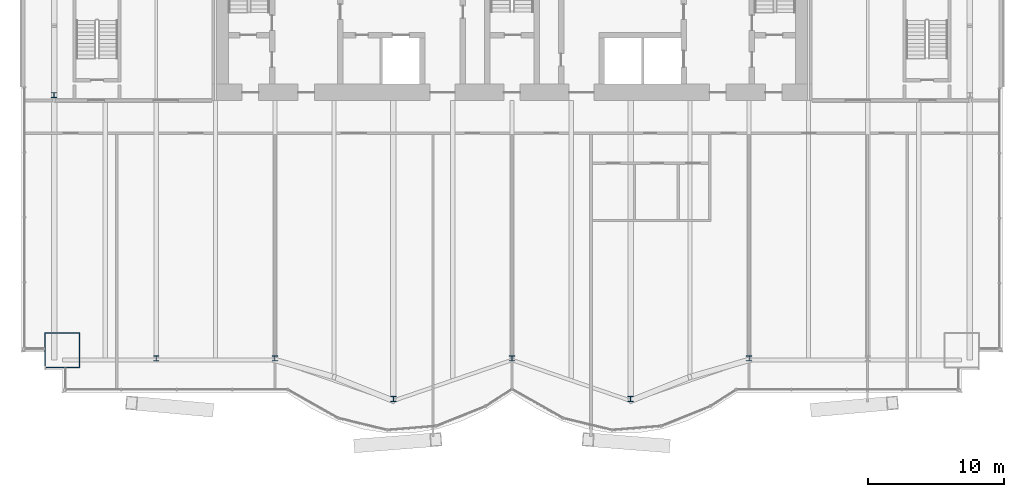
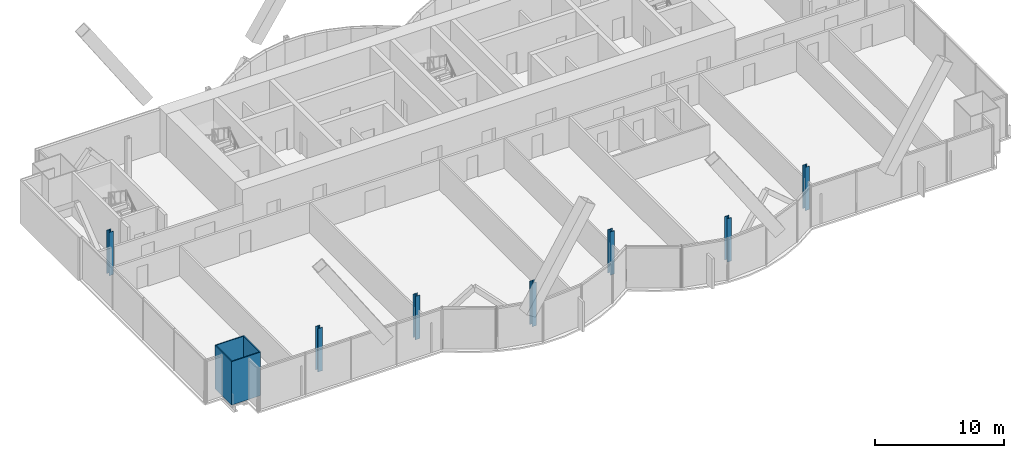
# One storey, part 1 of 22: 8 columns.
"""IFC4 building model written with IfcOpenShell, lengths in metres."""

from ifc_helpers import new_model, si_unit, direction, frame, origin, origin_2d, place, context, subcontext, project, spatial, hollow_rectangle, i_section, extrude, material, material_profile, profile_set, type_object, element, save


model = new_model("IFC4")

# Units and contexts
model_context = context("Model", 3, precision=1e-05, world=origin(), true_north=direction((0.0, 1.0)))
body_context = subcontext(model_context, "Body", "Model", "MODEL_VIEW")
ifc_project = project(units=[si_unit("LENGTHUNIT", "METRE"), si_unit("AREAUNIT", "SQUARE_METRE"), si_unit("VOLUMEUNIT", "CUBIC_METRE"), si_unit("PLANEANGLEUNIT", "RADIAN"), si_unit("MASSUNIT", "GRAM", prefix="KILO")], contexts=[model_context])

# Site, building, storey
site_placement = place(None, origin())
site = spatial("IfcSite", under=ifc_project, at=site_placement, CompositionType="ELEMENT")
building_placement = place(site_placement, origin())
building = spatial("IfcBuilding", under=site, at=building_placement, Name="Bicima Exchange Tower", CompositionType="ELEMENT")
storey_placement = place(building_placement, frame((0.0, 0.0, 169.10009765625)))
storey = spatial("IfcBuildingStorey", under=building, at=storey_placement, Name="L37", CompositionType="ELEMENT", Elevation=169.10009765625)

# Columns
ifc_material_1 = material(Name="Steel ASTM A572 Gr 50", Category="steel")
ifc_material_profile_1 = material_profile(ifc_material_1, hollow_rectangle(XDim=2.60009765625, YDim=2.60009765625, WallThickness=0.080078125, at=origin_2d()))
ifc_profile_set_1 = profile_set([ifc_material_profile_1], Name="Steel ASTM A572 Gr 50")
column_type_1 = type_object("IfcColumnType", Name="Mega column BOX 2600x2600x80", PredefinedType="COLUMN", material=ifc_profile_set_1)
column_placement = place(storey_placement, frame((-33.0, -31.31396484375, 0.0), z_axis=(0.0, 0.0, 1.0), x_axis=(1.0, 0.0, 0.0)))
element("IfcColumn", 1, at=column_placement, inside=storey, type_object=column_type_1, Name="Mega column mega-33.0f", PredefinedType="COLUMN", context=body_context, shape_type="SweptSolid", body=[
    extrude(hollow_rectangle(XDim=2.60009765625, YDim=2.60009765625, WallThickness=0.080078125, at=origin_2d()), origin(), (0.0, 0.0, 1.0), 4.099853515625),
])
ifc_material_2 = material(Name="Steel ASTM A992 Gr 50", Category="steel")
ifc_material_profile_2 = material_profile(ifc_material_2, i_section(OverallWidth=0.396240234375, OverallDepth=0.381103515625, WebThickness=0.01904296875, FlangeThickness=0.0302734375, at=origin_2d()))
ifc_profile_set_2 = profile_set([ifc_material_profile_2], Name="Steel ASTM A992 Gr 50")
column_type_2 = type_object("IfcColumnType", Name="Perimeter column W14x159", PredefinedType="COLUMN", material=ifc_profile_set_2)
for number, where, z_axis, x_axis, name in (
    (2, (-26.10009765625, -31.9140625, 0.0), (0.0, 0.0, 1.0), (1.0, 0.0, 0.0), "Perimeter column grav-26.1f"),
    (3, (-17.39990234375, -31.9140625, 0.0), (0.0, 0.0, 1.0), (1.0, 0.0, 0.0), "Perimeter column grav-17.4f"),
    (4, (-8.699951171875, -34.905029296875, 0.0), (0.0, 0.0, 1.0), (1.0, 0.0, 0.0), "Perimeter column grav-8.7f"),
    (5, (0.0, -31.9140625, 0.0), (0.0, 0.0, 1.0), (1.0, 0.0, 0.0), "Perimeter column grav-0.0f"),
    (6, (8.699951171875, -34.905029296875, 0.0), (0.0, 0.0, 1.0), (1.0, 0.0, 0.0), "Perimeter column grav+8.7f"),
    (7, (17.39990234375, -31.9140625, 0.0), (0.0, 0.0, 1.0), (1.0, 0.0, 0.0), "Perimeter column grav+17.4f"),
    (8, (-33.60009765625, -12.60009765625, 0.0), (0.0, 0.0, 1.0), (1.0, 0.0, 0.0), "End column end-33.6e"),
):
    element("IfcColumn", number, at=place(storey_placement, frame(where, z_axis=z_axis, x_axis=x_axis)), inside=storey, type_object=column_type_2, Name=name, PredefinedType="COLUMN", context=body_context, shape_type="SweptSolid", body=[
        extrude(i_section(OverallWidth=0.396240234375, OverallDepth=0.381103515625, WebThickness=0.01904296875, FlangeThickness=0.0302734375, at=origin_2d()), origin(), (0.0, 0.0, 1.0), 4.099853515625),
    ])

save(model, "model.ifc")
